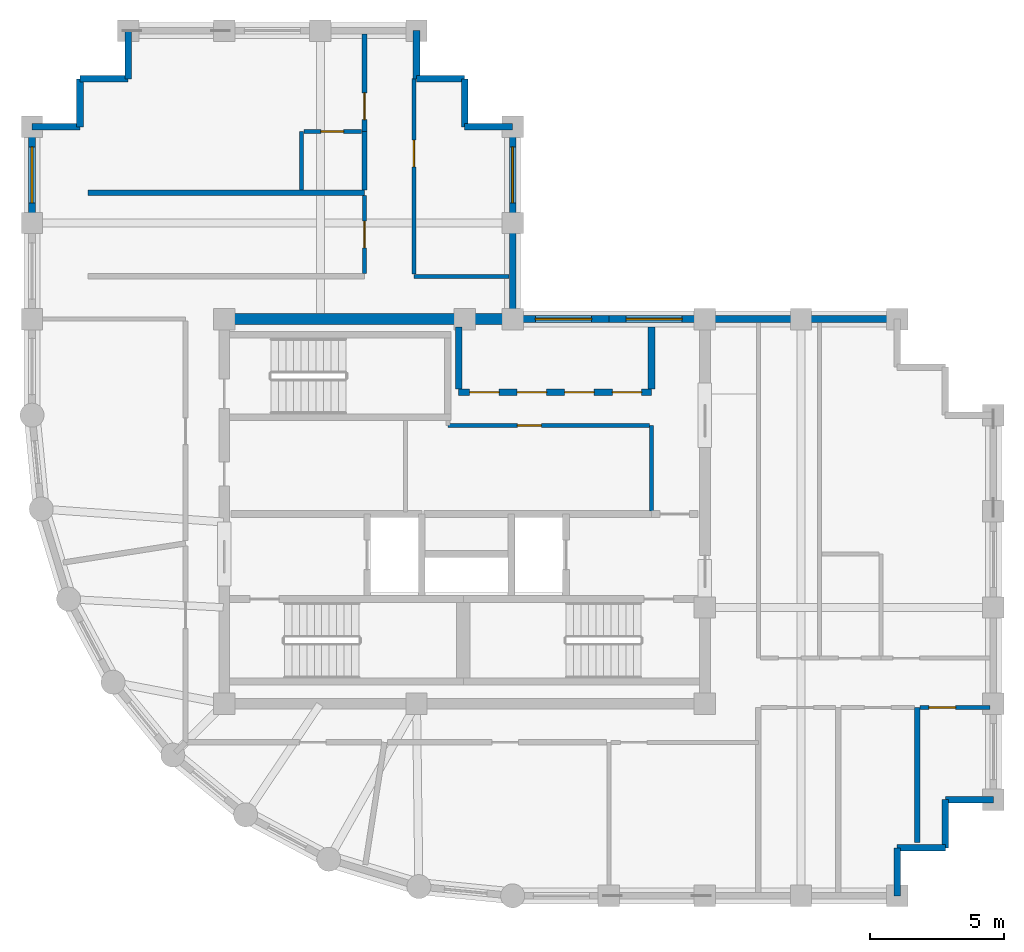
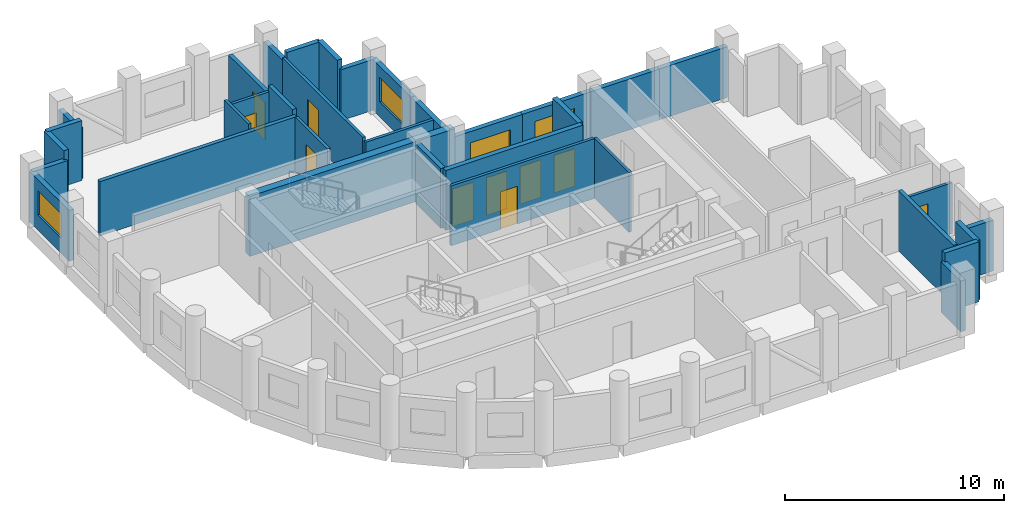
# One storey, part 4 of 6: 35 walls, 10 doors, 4 windows, 14 openings.
"""IFC4 building model written with IfcOpenShell, lengths in metres."""

from ifc_helpers import new_model, si_unit, direction, frame, frame_2d, origin, place, context, subcontext, project, spatial, rectangle, extrude, material, layer, layer_set, type_object, element, fill, save


model = new_model("IFC4")

# Units and contexts
model_context = context("Model", 3, precision=1e-05, world=origin(), true_north=direction((0.0, 1.0)))
body_context = subcontext(model_context, "Body", "Model", "MODEL_VIEW")
ifc_project = project(units=[si_unit("LENGTHUNIT", "METRE"), si_unit("AREAUNIT", "SQUARE_METRE"), si_unit("VOLUMEUNIT", "CUBIC_METRE"), si_unit("PLANEANGLEUNIT", "RADIAN"), si_unit("MASSUNIT", "GRAM", prefix="KILO")], contexts=[model_context])

# Site, building, storey
site_placement = place(None, origin())
site = spatial("IfcSite", under=ifc_project, at=site_placement, CompositionType="ELEMENT")
building_placement = place(site_placement, origin())
building = spatial("IfcBuilding", under=site, at=building_placement, Name="Solnavia Interchange Tower", CompositionType="ELEMENT")
storey_placement = place(building_placement, frame((0.0, 0.0, 231.800048828125)))
storey = spatial("IfcBuildingStorey", under=building, at=storey_placement, Name="L58", CompositionType="ELEMENT", Elevation=231.800048828125)

# Walls
ifc_material_1 = material(Name="Gypsum Acoustic Twin-Stud & Mineral Wool", Category="gypsum")
ifc_layer_1 = layer(ifc_material_1, 0.199951171875)
ifc_layer_set_1 = layer_set([ifc_layer_1], Name="Gypsum Acoustic Twin-Stud & Mineral Wool")
wall_type_1 = type_object("IfcWallType", Name="Wall-ApartmentParty-200", PredefinedType="PARTITIONING", material=ifc_layer_set_1)
wall_1_placement = place(storey_placement, frame((40.35009765625, 5.60498046875, 0.0), z_axis=(0.0, 0.0, 1.0), x_axis=(0.0, 1.0, 0.0)))
element("IfcWall", 1, at=wall_1_placement, inside=storey, type_object=wall_type_1, Name="PTW-L58-20 Interior partition wall", PredefinedType="PARTITIONING", context=body_context, shape_type="SweptSolid", body=[
    extrude(rectangle(XDim=5.044921875, YDim=0.199951171875, at=frame_2d((2.5224609375, 0.0))), origin(), (0.0, 0.0, 1.0), 3.3349609375),
])
wall_2_placement = place(storey_placement, frame((9.300048828125, 29.929931640625, 0.0), z_axis=(0.0, 0.0, 1.0), x_axis=(1.0, 0.0, 0.0)))
element("IfcWall", 2, at=wall_2_placement, inside=storey, type_object=wall_type_1, Name="PTW-L58-25 Interior partition wall", PredefinedType="PARTITIONING", context=body_context, shape_type="SweptSolid", body=[
    extrude(rectangle(XDim=10.349853515625, YDim=0.199951171875, at=frame_2d((5.1748046875, 0.0))), origin(), (0.0, 0.0, 1.0), 3.030029296875),
])
wall_3_placement = place(storey_placement, frame((19.64990234375, 30.033935546875, 0.0), z_axis=(0.0, 0.0, 1.0), x_axis=(0.0, 1.0, 0.0)))
element("IfcWall", 3, at=wall_3_placement, inside=storey, type_object=wall_type_1, Name="PTW-L58-27 Interior partition wall", PredefinedType="PARTITIONING", context=body_context, shape_type="SweptSolid", body=[
    extrude(rectangle(XDim=2.196044921875, YDim=0.199951171875, at=frame_2d((1.09814453125, 0.0))), origin(), (0.0, 0.0, 1.0), 3.3349609375),
])

# Wall, opening, door
wall_4_placement = place(storey_placement, frame((19.64990234375, 32.22998046875, 0.0), z_axis=(0.0, 0.0, 1.0), x_axis=(0.0, 1.0, 0.0)))
wall_4 = element("IfcWall", 4, at=wall_4_placement, inside=storey, type_object=wall_type_1, Name="PTW-L58-28 Interior partition wall", PredefinedType="PARTITIONING", context=body_context, shape_type="SweptSolid", body=[
    extrude(rectangle(XDim=3.64111328125, YDim=0.199951171875, at=frame_2d((1.820556640625, 0.0))), origin(), (0.0, 0.0, 1.0), 2.829833984375),
])
opening_1_placement = place(wall_4_placement, frame((0.43896484375, 0.0, 0.0)))
opening_1 = element("IfcOpeningElement", 5, at=opening_1_placement, cuts=wall_4, Name="Opening DR-06", PredefinedType="OPENING", context=body_context, shape_type="SweptSolid", body=[
    extrude(rectangle(XDim=1.0, YDim=2.10009765625, at=frame_2d((0.5, 1.050048828125))), frame((0.0, 0.10986328125, 0.0), z_axis=(0.0, -1.0, 0.0), x_axis=(1.0, 0.0, 0.0)), (0.0, 0.0, 1.0), 0.219970703125),
])
ifc_material_2 = material(Name="Engineered Timber Acoustic Fire Door", Category="wood")
door_type_1 = type_object("IfcDoorType", Name="Door-FlatEntry-1000x2100", OperationType="SINGLE_SWING_LEFT", PredefinedType="DOOR", material=ifc_material_2)
door_1_placement = place(opening_1_placement, origin())
door_1 = element("IfcDoor", 6, at=door_1_placement, inside=storey, type_object=door_type_1, Name="DR-L58-13 Interior room door", OperationType="SINGLE_SWING_RIGHT", OverallHeight=2.10009765625, OverallWidth=1.0, PredefinedType="DOOR", context=body_context, shape_type="SweptSolid", body=[
    extrude(rectangle(XDim=1.0, YDim=2.10009765625, at=frame_2d((0.5, 1.050048828125))), frame((0.0, 0.02490234375, 0.0), z_axis=(0.0, -1.0, 0.0), x_axis=(1.0, 0.0, 0.0)), (0.0, 0.0, 1.0), 0.050048828125),
])
fill(opening_1, door_1)

# Walls
ifc_material_3 = material(Name="Concrete C40/50", Category="concrete")
ifc_layer_2 = layer(ifc_material_3, 0.25)
ifc_layer_set_2 = layer_set([ifc_layer_2], Name="Concrete C40/50")
wall_type_2 = type_object("IfcWallType", Name="Wall-ExtSpandrel-250", PredefinedType="STANDARD", material=ifc_layer_set_2)
wall_5_placement = place(storey_placement, frame((39.60009765625, 5.39990234375, 0.0), z_axis=(0.0, 0.0, 1.0), x_axis=(0.0, -1.0, 0.0)))
element("IfcWall", 7, at=wall_5_placement, inside=storey, type_object=wall_type_2, Name="EXW-L58-05 Exterior precast spandrel wall", PredefinedType="STANDARD", context=body_context, shape_type="SweptSolid", body=[
    extrude(rectangle(XDim=1.7998046875, YDim=0.25, at=frame_2d((0.89990234375, 0.0))), origin(), (0.0, 0.0, 1.0), 2.829833984375),
])
wall_6_placement = place(storey_placement, frame((41.39990234375, 5.39990234375, 0.0), z_axis=(0.0, 0.0, 1.0), x_axis=(-1.0, 0.0, 0.0)))
element("IfcWall", 8, at=wall_6_placement, inside=storey, type_object=wall_type_2, Name="EXW-L58-06 Exterior precast spandrel wall", PredefinedType="STANDARD", context=body_context, shape_type="SweptSolid", body=[
    extrude(rectangle(XDim=1.7998046875, YDim=0.25, at=frame_2d((0.89990234375, 0.0))), origin(), (0.0, 0.0, 1.0), 3.3349609375),
])
wall_7_placement = place(storey_placement, frame((41.39990234375, 7.199951171875, 0.0), z_axis=(0.0, 0.0, 1.0), x_axis=(0.0, -1.0, 0.0)))
element("IfcWall", 9, at=wall_7_placement, inside=storey, type_object=wall_type_2, Name="EXW-L58-07 Exterior precast spandrel wall", PredefinedType="STANDARD", context=body_context, shape_type="SweptSolid", body=[
    extrude(rectangle(XDim=1.800048828125, YDim=0.25, at=frame_2d((0.89990234375, 0.0))), origin(), (0.0, 0.0, 1.0), 3.3349609375),
])
wall_8_placement = place(storey_placement, frame((43.199951171875, 7.199951171875, 0.0), z_axis=(0.0, 0.0, 1.0), x_axis=(-1.0, 0.0, 0.0)))
element("IfcWall", 10, at=wall_8_placement, inside=storey, type_object=wall_type_2, Name="EXW-L58-08 Exterior precast spandrel wall", PredefinedType="STANDARD", context=body_context, shape_type="SweptSolid", body=[
    extrude(rectangle(XDim=1.800048828125, YDim=0.25, at=frame_2d((0.89990234375, 0.0))), origin(), (0.0, 0.0, 1.0), 2.829833984375),
])
for number, where, z_axis, x_axis, name in (
    (11, (36.0, 25.199951171875, 0.0), (0.0, 0.0, 1.0), (1.0, 0.0, 0.0), "EXW-L58-17 Exterior precast spandrel wall"),
    (12, (32.39990234375, 25.199951171875, 0.0), (0.0, 0.0, 1.0), (1.0, 0.0, 0.0), "EXW-L58-18 Exterior precast spandrel wall"),
):
    element("IfcWall", number, at=place(storey_placement, frame(where, z_axis=z_axis, x_axis=x_axis)), inside=storey, type_object=wall_type_2, Name=name, PredefinedType="STANDARD", context=body_context, shape_type="SweptSolid", body=[
        extrude(rectangle(XDim=3.60009765625, YDim=0.25, at=frame_2d((1.800048828125, 0.0))), origin(), (0.0, 0.0, 1.0), 2.829833984375),
    ])

# Wall, opening, window
wall_9_placement = place(storey_placement, frame((28.800048828125, 25.199951171875, 0.0), z_axis=(0.0, 0.0, 1.0), x_axis=(1.0, 0.0, 0.0)))
wall_9 = element("IfcWall", 13, at=wall_9_placement, inside=storey, type_object=wall_type_2, Name="EXW-L58-19 Exterior precast spandrel wall", PredefinedType="STANDARD", context=body_context, shape_type="SweptSolid", body=[
    extrude(rectangle(XDim=3.599853515625, YDim=0.25, at=frame_2d((1.7998046875, 0.0))), origin(), (0.0, 0.0, 1.0), 2.829833984375),
])
opening_2_placement = place(wall_9_placement, frame((0.64501953125, 0.0, 0.85009765625)))
opening_2 = element("IfcOpeningElement", 14, at=opening_2_placement, cuts=wall_9, Name="Opening WIN-01", PredefinedType="OPENING", context=body_context, shape_type="SweptSolid", body=[
    extrude(rectangle(XDim=2.10009765625, YDim=1.35009765625, at=frame_2d((1.050048828125, 0.675048828125))), frame((0.0, 0.135009765625, 0.0), z_axis=(0.0, -1.0, 0.0), x_axis=(1.0, 0.0, 0.0)), (0.0, 0.0, 1.0), 0.27001953125),
])
ifc_material_4 = material(Name="Thermal-Break Aluminium & Low-E Glass", Category="aluminium")
window_type = type_object("IfcWindowType", Name="Window-Ribbon-2100x1350", PartitioningType="SINGLE_PANEL", PredefinedType="WINDOW", material=ifc_material_4)
window_1_placement = place(opening_2_placement, origin())
window_1 = element("IfcWindow", 15, at=window_1_placement, inside=storey, type_object=window_type, Name="WIN-L58-19 Facade ribbon window", OverallHeight=1.35009765625, OverallWidth=2.10009765625, PartitioningType="SINGLE_PANEL", PredefinedType="WINDOW", context=body_context, shape_type="SweptSolid", body=[
    extrude(rectangle(XDim=2.10009765625, YDim=1.35009765625, at=frame_2d((1.050048828125, 0.675048828125))), frame((0.0, 0.030029296875, 0.0), z_axis=(0.0, -1.0, 0.0), x_axis=(1.0, 0.0, 0.0)), (0.0, 0.0, 1.0), 0.06005859375),
])
fill(opening_2, window_1)

wall_10_placement = place(storey_placement, frame((25.199951171875, 25.199951171875, 0.0), z_axis=(0.0, 0.0, 1.0), x_axis=(1.0, 0.0, 0.0)))
wall_10 = element("IfcWall", 16, at=wall_10_placement, inside=storey, type_object=wall_type_2, Name="EXW-L58-20 Exterior precast spandrel wall", PredefinedType="STANDARD", context=body_context, shape_type="SweptSolid", body=[
    extrude(rectangle(XDim=3.60009765625, YDim=0.25, at=frame_2d((1.800048828125, 0.0))), origin(), (0.0, 0.0, 1.0), 2.829833984375),
])
opening_3_placement = place(wall_10_placement, frame((0.85498046875, 0.0, 0.85009765625)))
opening_3 = element("IfcOpeningElement", 17, at=opening_3_placement, cuts=wall_10, Name="Opening WIN-01", PredefinedType="OPENING", context=body_context, shape_type="SweptSolid", body=[
    extrude(rectangle(XDim=2.10009765625, YDim=1.35009765625, at=frame_2d((1.050048828125, 0.675048828125))), frame((0.0, 0.135009765625, 0.0), z_axis=(0.0, -1.0, 0.0), x_axis=(1.0, 0.0, 0.0)), (0.0, 0.0, 1.0), 0.27001953125),
])
window_2_placement = place(opening_3_placement, origin())
window_2 = element("IfcWindow", 18, at=window_2_placement, inside=storey, type_object=window_type, Name="WIN-L58-20 Facade ribbon window", OverallHeight=1.35009765625, OverallWidth=2.10009765625, PartitioningType="SINGLE_PANEL", PredefinedType="WINDOW", context=body_context, shape_type="SweptSolid", body=[
    extrude(rectangle(XDim=2.10009765625, YDim=1.35009765625, at=frame_2d((1.050048828125, 0.675048828125))), frame((0.0, 0.030029296875, 0.0), z_axis=(0.0, -1.0, 0.0), x_axis=(1.0, 0.0, 0.0)), (0.0, 0.0, 1.0), 0.06005859375),
])
fill(opening_3, window_2)

# Wall
wall_11_placement = place(storey_placement, frame((25.199951171875, 28.800048828125, 0.0), z_axis=(0.0, 0.0, 1.0), x_axis=(0.0, -1.0, 0.0)))
element("IfcWall", 19, at=wall_11_placement, inside=storey, type_object=wall_type_2, Name="EXW-L58-21 Exterior precast spandrel wall", PredefinedType="STANDARD", context=body_context, shape_type="SweptSolid", body=[
    extrude(rectangle(XDim=3.60009765625, YDim=0.25, at=frame_2d((1.800048828125, 0.0))), origin(), (0.0, 0.0, 1.0), 2.829833984375),
])

# Wall, opening, window
wall_12_placement = place(storey_placement, frame((25.199951171875, 32.39990234375, 0.0), z_axis=(0.0, 0.0, 1.0), x_axis=(0.0, -1.0, 0.0)))
wall_12 = element("IfcWall", 20, at=wall_12_placement, inside=storey, type_object=wall_type_2, Name="EXW-L58-22 Exterior precast spandrel wall", PredefinedType="STANDARD", context=body_context, shape_type="SweptSolid", body=[
    extrude(rectangle(XDim=3.599853515625, YDim=0.25, at=frame_2d((1.7998046875, 0.0))), origin(), (0.0, 0.0, 1.0), 2.829833984375),
])
opening_4_placement = place(wall_12_placement, frame((0.75, 0.0, 0.85009765625)))
opening_4 = element("IfcOpeningElement", 21, at=opening_4_placement, cuts=wall_12, Name="Opening WIN-01", PredefinedType="OPENING", context=body_context, shape_type="SweptSolid", body=[
    extrude(rectangle(XDim=2.10009765625, YDim=1.35009765625, at=frame_2d((1.050048828125, 0.675048828125))), frame((0.0, 0.135009765625, 0.0), z_axis=(0.0, -1.0, 0.0), x_axis=(1.0, 0.0, 0.0)), (0.0, 0.0, 1.0), 0.27001953125),
])
window_3_placement = place(opening_4_placement, origin())
window_3 = element("IfcWindow", 22, at=window_3_placement, inside=storey, type_object=window_type, Name="WIN-L58-22 Facade ribbon window", OverallHeight=1.35009765625, OverallWidth=2.10009765625, PartitioningType="SINGLE_PANEL", PredefinedType="WINDOW", context=body_context, shape_type="SweptSolid", body=[
    extrude(rectangle(XDim=2.10009765625, YDim=1.35009765625, at=frame_2d((1.050048828125, 0.675048828125))), frame((0.0, 0.030029296875, 0.0), z_axis=(0.0, -1.0, 0.0), x_axis=(1.0, 0.0, 0.0)), (0.0, 0.0, 1.0), 0.06005859375),
])
fill(opening_4, window_3)

# Walls
wall_13_placement = place(storey_placement, frame((23.39990234375, 32.39990234375, 0.0), z_axis=(0.0, 0.0, 1.0), x_axis=(1.0, 0.0, 0.0)))
element("IfcWall", 23, at=wall_13_placement, inside=storey, type_object=wall_type_2, Name="EXW-L58-23 Exterior precast spandrel wall", PredefinedType="STANDARD", context=body_context, shape_type="SweptSolid", body=[
    extrude(rectangle(XDim=1.800048828125, YDim=0.25, at=frame_2d((0.89990234375, 0.0))), origin(), (0.0, 0.0, 1.0), 2.829833984375),
])
wall_14_placement = place(storey_placement, frame((23.39990234375, 32.39990234375, 0.0), z_axis=(0.0, 0.0, 1.0), x_axis=(0.0, 1.0, 0.0)))
element("IfcWall", 24, at=wall_14_placement, inside=storey, type_object=wall_type_2, Name="EXW-L58-24 Exterior precast spandrel wall", PredefinedType="STANDARD", context=body_context, shape_type="SweptSolid", body=[
    extrude(rectangle(XDim=1.800048828125, YDim=0.25, at=frame_2d((0.89990234375, 0.0))), origin(), (0.0, 0.0, 1.0), 3.3349609375),
])
wall_15_placement = place(storey_placement, frame((21.60009765625, 34.199951171875, 0.0), z_axis=(0.0, 0.0, 1.0), x_axis=(1.0, 0.0, 0.0)))
element("IfcWall", 25, at=wall_15_placement, inside=storey, type_object=wall_type_2, Name="EXW-L58-25 Exterior precast spandrel wall", PredefinedType="STANDARD", context=body_context, shape_type="SweptSolid", body=[
    extrude(rectangle(XDim=1.7998046875, YDim=0.25, at=frame_2d((0.89990234375, 0.0))), origin(), (0.0, 0.0, 1.0), 3.3349609375),
])
for number, where, z_axis, x_axis, name in (
    (26, (21.60009765625, 34.199951171875, 0.0), (0.0, 0.0, 1.0), (0.0, 1.0, 0.0), "EXW-L58-26 Exterior precast spandrel wall"),
    (27, (10.800048828125, 34.199951171875, 0.0), (0.0, 0.0, 1.0), (0.0, 1.0, 0.0), "EXW-L58-30 Exterior precast spandrel wall"),
):
    element("IfcWall", number, at=place(storey_placement, frame(where, z_axis=z_axis, x_axis=x_axis)), inside=storey, type_object=wall_type_2, Name=name, PredefinedType="STANDARD", context=body_context, shape_type="SweptSolid", body=[
        extrude(rectangle(XDim=1.800048828125, YDim=0.25, at=frame_2d((0.89990234375, 0.0))), origin(), (0.0, 0.0, 1.0), 2.829833984375),
    ])
for number, where, z_axis, x_axis, name in (
    (28, (9.0, 34.199951171875, 0.0), (0.0, 0.0, 1.0), (1.0, 0.0, 0.0), "EXW-L58-31 Exterior precast spandrel wall"),
    (29, (9.0, 32.39990234375, 0.0), (0.0, 0.0, 1.0), (0.0, 1.0, 0.0), "EXW-L58-32 Exterior precast spandrel wall"),
):
    element("IfcWall", number, at=place(storey_placement, frame(where, z_axis=z_axis, x_axis=x_axis)), inside=storey, type_object=wall_type_2, Name=name, PredefinedType="STANDARD", context=body_context, shape_type="SweptSolid", body=[
        extrude(rectangle(XDim=1.800048828125, YDim=0.25, at=frame_2d((0.89990234375, 0.0))), origin(), (0.0, 0.0, 1.0), 3.3349609375),
    ])
wall_16_placement = place(storey_placement, frame((7.199951171875, 32.39990234375, 0.0), z_axis=(0.0, 0.0, 1.0), x_axis=(1.0, 0.0, 0.0)))
element("IfcWall", 30, at=wall_16_placement, inside=storey, type_object=wall_type_2, Name="EXW-L58-33 Exterior precast spandrel wall", PredefinedType="STANDARD", context=body_context, shape_type="SweptSolid", body=[
    extrude(rectangle(XDim=1.800048828125, YDim=0.25, at=frame_2d((0.89990234375, 0.0))), origin(), (0.0, 0.0, 1.0), 2.829833984375),
])

# Wall, opening, window
wall_17_placement = place(storey_placement, frame((7.199951171875, 28.800048828125, 0.0), z_axis=(0.0, 0.0, 1.0), x_axis=(0.0, 1.0, 0.0)))
wall_17 = element("IfcWall", 31, at=wall_17_placement, inside=storey, type_object=wall_type_2, Name="EXW-L58-34 Exterior precast spandrel wall", PredefinedType="STANDARD", context=body_context, shape_type="SweptSolid", body=[
    extrude(rectangle(XDim=3.599853515625, YDim=0.25, at=frame_2d((1.7998046875, 0.0))), origin(), (0.0, 0.0, 1.0), 2.829833984375),
])
opening_5_placement = place(wall_17_placement, frame((0.75, 0.0, 0.85009765625)))
opening_5 = element("IfcOpeningElement", 32, at=opening_5_placement, cuts=wall_17, Name="Opening WIN-01", PredefinedType="OPENING", context=body_context, shape_type="SweptSolid", body=[
    extrude(rectangle(XDim=2.10009765625, YDim=1.35009765625, at=frame_2d((1.050048828125, 0.675048828125))), frame((0.0, 0.135009765625, 0.0), z_axis=(0.0, -1.0, 0.0), x_axis=(1.0, 0.0, 0.0)), (0.0, 0.0, 1.0), 0.27001953125),
])
window_4_placement = place(opening_5_placement, origin())
window_4 = element("IfcWindow", 33, at=window_4_placement, inside=storey, type_object=window_type, Name="WIN-L58-34 Facade ribbon window", OverallHeight=1.35009765625, OverallWidth=2.10009765625, PartitioningType="SINGLE_PANEL", PredefinedType="WINDOW", context=body_context, shape_type="SweptSolid", body=[
    extrude(rectangle(XDim=2.10009765625, YDim=1.35009765625, at=frame_2d((1.050048828125, 0.675048828125))), frame((0.0, 0.030029296875, 0.0), z_axis=(0.0, -1.0, 0.0), x_axis=(1.0, 0.0, 0.0)), (0.0, 0.0, 1.0), 0.06005859375),
])
fill(opening_5, window_4)

# Wall, opening, door
ifc_material_5 = material(Name="Gypsum Plasterboard & Steel Stud", Category="steel")
ifc_layer_3 = layer(ifc_material_5, 0.14990234375)
ifc_layer_set_3 = layer_set([ifc_layer_3], Name="Gypsum Plasterboard & Steel Stud")
wall_type_3 = type_object("IfcWallType", Name="Wall-Partition-150", PredefinedType="PARTITIONING", material=ifc_layer_set_3)
wall_18_placement = place(storey_placement, frame((22.77490234375, 21.219970703125, 0.0), z_axis=(0.0, 0.0, 1.0), x_axis=(1.0, 0.0, 0.0)))
wall_18 = element("IfcWall", 34, at=wall_18_placement, inside=storey, type_object=wall_type_3, Name="CSW-L58-N-ALL Core shaft wall", PredefinedType="PARTITIONING", context=body_context, shape_type="SweptSolid", body=[
    extrude(rectangle(XDim=7.545166015625, YDim=0.14990234375, at=frame_2d((3.7724609375, 0.0))), origin(), (0.0, 0.0, 1.0), 3.3349609375),
])
opening_6_placement = place(wall_18_placement, frame((2.60009765625, 0.0, 0.0)))
opening_6 = element("IfcOpeningElement", 35, at=opening_6_placement, cuts=wall_18, Name="Opening DR-09", PredefinedType="OPENING", context=body_context, shape_type="SweptSolid", body=[
    extrude(rectangle(XDim=0.89990234375, YDim=2.10009765625, at=frame_2d((0.449951171875, 1.050048828125))), frame((0.0, 0.0849609375, 0.0), z_axis=(0.0, -1.0, 0.0), x_axis=(1.0, 0.0, 0.0)), (0.0, 0.0, 1.0), 0.169921875),
])
ifc_material_6 = material(Name="Engineered Oak Veneer Door", Category="wood")
door_type_2 = type_object("IfcDoorType", Name="Door-Internal-900x2100", OperationType="SINGLE_SWING_LEFT", PredefinedType="DOOR", material=ifc_material_6)
door_2_placement = place(opening_6_placement, origin())
door_2 = element("IfcDoor", 36, at=door_2_placement, inside=storey, type_object=door_type_2, Name="DR-L58-CS2 Core fire door", OperationType="SINGLE_SWING_RIGHT", OverallHeight=2.10009765625, OverallWidth=0.89990234375, PredefinedType="DOOR", context=body_context, shape_type="SweptSolid", body=[
    extrude(rectangle(XDim=0.89990234375, YDim=2.10009765625, at=frame_2d((0.449951171875, 1.050048828125))), frame((0.0, 0.02490234375, 0.0), z_axis=(0.0, -1.0, 0.0), x_axis=(1.0, 0.0, 0.0)), (0.0, 0.0, 1.0), 0.050048828125),
])
fill(opening_6, door_2)

# Wall
wall_19_placement = place(storey_placement, frame((30.39990234375, 18.02001953125, 0.0), z_axis=(0.0, 0.0, 1.0), x_axis=(0.0, 1.0, 0.0)))
element("IfcWall", 37, at=wall_19_placement, inside=storey, type_object=wall_type_3, Name="CSW-L58-E-E Core shaft wall", PredefinedType="PARTITIONING", context=body_context, shape_type="SweptSolid", body=[
    extrude(rectangle(XDim=3.199951171875, YDim=0.14990234375, at=frame_2d((1.60009765625, 0.0))), origin(), (0.0, 0.0, 1.0), 3.3349609375),
])

# Wall, opening, door
wall_20_placement = place(storey_placement, frame((40.4541015625, 10.64990234375, 0.0), z_axis=(0.0, 0.0, 1.0), x_axis=(1.0, 0.0, 0.0)))
wall_20 = element("IfcWall", 38, at=wall_20_placement, inside=storey, type_object=wall_type_3, Name="PTW-L58-22 Interior partition wall", PredefinedType="PARTITIONING", context=body_context, shape_type="SweptSolid", body=[
    extrude(rectangle(XDim=2.616943359375, YDim=0.14990234375, at=frame_2d((1.30859375, 0.0))), origin(), (0.0, 0.0, 1.0), 2.829833984375),
])
opening_7_placement = place(wall_20_placement, frame((0.3310546875, 0.0, 0.0)))
opening_7 = element("IfcOpeningElement", 39, at=opening_7_placement, cuts=wall_20, Name="Opening DR-07", PredefinedType="OPENING", context=body_context, shape_type="SweptSolid", body=[
    extrude(rectangle(XDim=1.0, YDim=2.10009765625, at=frame_2d((0.5, 1.050048828125))), frame((0.0, 0.0849609375, 0.0), z_axis=(0.0, -1.0, 0.0), x_axis=(1.0, 0.0, 0.0)), (0.0, 0.0, 1.0), 0.169921875),
])
ifc_material_7 = material(Name="Timber & Acoustic Glazed Office Door", Category="wood")
door_type_3 = type_object("IfcDoorType", Name="Door-Office-1000x2100", OperationType="SINGLE_SWING_RIGHT", PredefinedType="DOOR", material=ifc_material_7)
door_3_placement = place(opening_7_placement, origin())
door_3 = element("IfcDoor", 40, at=door_3_placement, inside=storey, type_object=door_type_3, Name="DR-L58-10 Interior room door", OperationType="SINGLE_SWING_LEFT", OverallHeight=2.10009765625, OverallWidth=1.0, PredefinedType="DOOR", context=body_context, shape_type="SweptSolid", body=[
    extrude(rectangle(XDim=1.0, YDim=2.10009765625, at=frame_2d((0.5, 1.050048828125))), frame((0.0, 0.02490234375, 0.0), z_axis=(0.0, -1.0, 0.0), x_axis=(1.0, 0.0, 0.0)), (0.0, 0.0, 1.0), 0.050048828125),
])
fill(opening_7, door_3)

wall_21_placement = place(storey_placement, frame((19.64990234375, 26.904052734375, 0.0), z_axis=(0.0, 0.0, 1.0), x_axis=(0.0, 1.0, 0.0)))
wall_21 = element("IfcWall", 41, at=wall_21_placement, inside=storey, type_object=wall_type_3, Name="PTW-L58-26 Interior partition wall", PredefinedType="PARTITIONING", context=body_context, shape_type="SweptSolid", body=[
    extrude(rectangle(XDim=2.921875, YDim=0.14990234375, at=frame_2d((1.4609375, 0.0))), origin(), (0.0, 0.0, 1.0), 3.030029296875),
])
opening_8_placement = place(wall_21_placement, frame((0.9609375, 0.0, 0.0)))
opening_8 = element("IfcOpeningElement", 42, at=opening_8_placement, cuts=wall_21, Name="Opening DR-07", PredefinedType="OPENING", context=body_context, shape_type="SweptSolid", body=[
    extrude(rectangle(XDim=1.0, YDim=2.10009765625, at=frame_2d((0.5, 1.050048828125))), frame((0.0, 0.0849609375, 0.0), z_axis=(0.0, -1.0, 0.0), x_axis=(1.0, 0.0, 0.0)), (0.0, 0.0, 1.0), 0.169921875),
])
door_4_placement = place(opening_8_placement, origin())
door_4 = element("IfcDoor", 43, at=door_4_placement, inside=storey, type_object=door_type_3, Name="DR-L58-12 Interior room door", OperationType="SINGLE_SWING_RIGHT", OverallHeight=2.10009765625, OverallWidth=1.0, PredefinedType="DOOR", context=body_context, shape_type="SweptSolid", body=[
    extrude(rectangle(XDim=1.0, YDim=2.10009765625, at=frame_2d((0.5, 1.050048828125))), frame((0.0, 0.02490234375, 0.0), z_axis=(0.0, -1.0, 0.0), x_axis=(1.0, 0.0, 0.0)), (0.0, 0.0, 1.0), 0.050048828125),
])
fill(opening_8, door_4)

# Wall
wall_22_placement = place(storey_placement, frame((21.5, 26.800048828125, 0.0), z_axis=(0.0, 0.0, 1.0), x_axis=(1.0, 0.0, 0.0)))
element("IfcWall", 44, at=wall_22_placement, inside=storey, type_object=wall_type_3, Name="PTW-L58-31 Interior partition wall", PredefinedType="PARTITIONING", context=body_context, shape_type="SweptSolid", body=[
    extrude(rectangle(XDim=3.571044921875, YDim=0.14990234375, at=frame_2d((1.78564453125, 0.0))), origin(), (0.0, 0.0, 1.0), 2.829833984375),
])

# Wall, opening, door
wall_23_placement = place(storey_placement, frame((21.5, 26.87890625, 0.0), z_axis=(0.0, 0.0, 1.0), x_axis=(0.0, 1.0, 0.0)))
wall_23 = element("IfcWall", 45, at=wall_23_placement, inside=storey, type_object=wall_type_3, Name="PTW-L58-32 Interior partition wall", PredefinedType="PARTITIONING", context=body_context, shape_type="SweptSolid", body=[
    extrude(rectangle(XDim=7.321044921875, YDim=0.14990234375, at=frame_2d((3.66064453125, 0.0))), origin(), (0.0, 0.0, 1.0), 3.030029296875),
])
opening_9_placement = place(wall_23_placement, frame((4.02099609375, 0.0, 0.0)))
opening_9 = element("IfcOpeningElement", 46, at=opening_9_placement, cuts=wall_23, Name="Opening DR-07", PredefinedType="OPENING", context=body_context, shape_type="SweptSolid", body=[
    extrude(rectangle(XDim=1.0, YDim=2.10009765625, at=frame_2d((0.5, 1.050048828125))), frame((0.0, 0.0849609375, 0.0), z_axis=(0.0, -1.0, 0.0), x_axis=(1.0, 0.0, 0.0)), (0.0, 0.0, 1.0), 0.169921875),
])
door_5_placement = place(opening_9_placement, origin())
door_5 = element("IfcDoor", 47, at=door_5_placement, inside=storey, type_object=door_type_3, Name="DR-L58-15 Interior room door", OperationType="SINGLE_SWING_LEFT", OverallHeight=2.10009765625, OverallWidth=1.0, PredefinedType="DOOR", context=body_context, shape_type="SweptSolid", body=[
    extrude(rectangle(XDim=1.0, YDim=2.10009765625, at=frame_2d((0.5, 1.050048828125))), frame((0.0, 0.02490234375, 0.0), z_axis=(0.0, -1.0, 0.0), x_axis=(1.0, 0.0, 0.0)), (0.0, 0.0, 1.0), 0.050048828125),
])
fill(opening_9, door_5)

# Wall, openings, doors
ifc_layer_4 = layer(ifc_material_3, 0.25)
ifc_layer_set_4 = layer_set([ifc_layer_4], Name="Concrete C40/50")
wall_type_4 = type_object("IfcWallType", Name="Wall-ShaftPart-250", PredefinedType="PARTITIONING", material=ifc_layer_set_4)
wall_24_placement = place(storey_placement, frame((23.179931640625, 22.4599609375, 0.0), z_axis=(0.0, 0.0, 1.0), x_axis=(1.0, 0.0, 0.0)))
wall_24 = element("IfcWall", 48, at=wall_24_placement, inside=storey, type_object=wall_type_4, Name="SHW-L58-B3S Core shaft wall", PredefinedType="PARTITIONING", context=body_context, shape_type="SweptSolid", body=[
    extrude(rectangle(XDim=7.219970703125, YDim=0.25, at=frame_2d((3.60986328125, 0.0))), origin(), (0.0, 0.0, 1.0), 3.3349609375),
])
opening_10_placement = place(wall_24_placement, frame((0.409912109375, 0.0, 0.0)))
opening_10 = element("IfcOpeningElement", 49, at=opening_10_placement, cuts=wall_24, Name="Opening LD-01", PredefinedType="OPENING", context=body_context, shape_type="SweptSolid", body=[
    extrude(rectangle(XDim=1.10009765625, YDim=2.10009765625, at=frame_2d((0.550048828125, 1.050048828125))), frame((0.0, 0.135009765625, 0.0), z_axis=(0.0, -1.0, 0.0), x_axis=(1.0, 0.0, 0.0)), (0.0, 0.0, 1.0), 0.27001953125),
])
opening_11_placement = place(wall_24_placement, frame((2.18994140625, 0.0, 0.0)))
opening_11 = element("IfcOpeningElement", 50, at=opening_11_placement, cuts=wall_24, Name="Opening LD-01", PredefinedType="OPENING", context=body_context, shape_type="SweptSolid", body=[
    extrude(rectangle(XDim=1.10009765625, YDim=2.10009765625, at=frame_2d((0.550048828125, 1.050048828125))), frame((0.0, 0.135009765625, 0.0), z_axis=(0.0, -1.0, 0.0), x_axis=(1.0, 0.0, 0.0)), (0.0, 0.0, 1.0), 0.27001953125),
])
opening_12_placement = place(wall_24_placement, frame((3.969970703125, 0.0, 0.0)))
opening_12 = element("IfcOpeningElement", 51, at=opening_12_placement, cuts=wall_24, Name="Opening LD-01", PredefinedType="OPENING", context=body_context, shape_type="SweptSolid", body=[
    extrude(rectangle(XDim=1.10009765625, YDim=2.10009765625, at=frame_2d((0.550048828125, 1.050048828125))), frame((0.0, 0.135009765625, 0.0), z_axis=(0.0, -1.0, 0.0), x_axis=(1.0, 0.0, 0.0)), (0.0, 0.0, 1.0), 0.27001953125),
])
opening_13_placement = place(wall_24_placement, frame((5.75, 0.0, 0.0)))
opening_13 = element("IfcOpeningElement", 52, at=opening_13_placement, cuts=wall_24, Name="Opening LD-01", PredefinedType="OPENING", context=body_context, shape_type="SweptSolid", body=[
    extrude(rectangle(XDim=1.10009765625, YDim=2.10009765625, at=frame_2d((0.550048828125, 1.050048828125))), frame((0.0, 0.135009765625, 0.0), z_axis=(0.0, -1.0, 0.0), x_axis=(1.0, 0.0, 0.0)), (0.0, 0.0, 1.0), 0.27001953125),
])
ifc_material_8 = material(Name="Brushed Stainless Steel Sliding Door", Category="steel")
door_type_4 = type_object("IfcDoorType", Name="Door-LiftLanding-1100x2100", OperationType="SLIDING_TO_LEFT", PredefinedType="DOOR", material=ifc_material_8)
door_6_placement = place(opening_10_placement, origin())
door_6 = element("IfcDoor", 53, at=door_6_placement, inside=storey, type_object=door_type_4, Name="LD-L58-B3-1 Lift landing sliding door", OperationType="SLIDING_TO_LEFT", OverallHeight=2.10009765625, OverallWidth=1.10009765625, PredefinedType="DOOR", context=body_context, shape_type="SweptSolid", body=[
    extrude(rectangle(XDim=1.10009765625, YDim=2.10009765625, at=frame_2d((0.550048828125, 1.050048828125))), frame((0.0, 0.02490234375, 0.0), z_axis=(0.0, -1.0, 0.0), x_axis=(1.0, 0.0, 0.0)), (0.0, 0.0, 1.0), 0.050048828125),
])
fill(opening_10, door_6)
door_7_placement = place(opening_11_placement, origin())
door_7 = element("IfcDoor", 54, at=door_7_placement, inside=storey, type_object=door_type_4, Name="LD-L58-B3-2 Lift landing sliding door", OperationType="SLIDING_TO_LEFT", OverallHeight=2.10009765625, OverallWidth=1.10009765625, PredefinedType="DOOR", context=body_context, shape_type="SweptSolid", body=[
    extrude(rectangle(XDim=1.10009765625, YDim=2.10009765625, at=frame_2d((0.550048828125, 1.050048828125))), frame((0.0, 0.02490234375, 0.0), z_axis=(0.0, -1.0, 0.0), x_axis=(1.0, 0.0, 0.0)), (0.0, 0.0, 1.0), 0.050048828125),
])
fill(opening_11, door_7)
door_8_placement = place(opening_12_placement, origin())
door_8 = element("IfcDoor", 55, at=door_8_placement, inside=storey, type_object=door_type_4, Name="LD-L58-B3-3 Lift landing sliding door", OperationType="SLIDING_TO_LEFT", OverallHeight=2.10009765625, OverallWidth=1.10009765625, PredefinedType="DOOR", context=body_context, shape_type="SweptSolid", body=[
    extrude(rectangle(XDim=1.10009765625, YDim=2.10009765625, at=frame_2d((0.550048828125, 1.050048828125))), frame((0.0, 0.02490234375, 0.0), z_axis=(0.0, -1.0, 0.0), x_axis=(1.0, 0.0, 0.0)), (0.0, 0.0, 1.0), 0.050048828125),
])
fill(opening_12, door_8)
door_9_placement = place(opening_13_placement, origin())
door_9 = element("IfcDoor", 56, at=door_9_placement, inside=storey, type_object=door_type_4, Name="LD-L58-B3-4 Lift landing sliding door", OperationType="SLIDING_TO_LEFT", OverallHeight=2.10009765625, OverallWidth=1.10009765625, PredefinedType="DOOR", context=body_context, shape_type="SweptSolid", body=[
    extrude(rectangle(XDim=1.10009765625, YDim=2.10009765625, at=frame_2d((0.550048828125, 1.050048828125))), frame((0.0, 0.02490234375, 0.0), z_axis=(0.0, -1.0, 0.0), x_axis=(1.0, 0.0, 0.0)), (0.0, 0.0, 1.0), 0.050048828125),
])
fill(opening_13, door_9)

# Walls
for number, where, z_axis, x_axis, name in (
    (57, (23.179931640625, 22.5849609375, 0.0), (0.0, 0.0, 1.0), (0.0, 1.0, 0.0), "SHW-L58-B3W Core shaft wall"),
    (58, (30.39990234375, 22.5849609375, 0.0), (0.0, 0.0, 1.0), (0.0, 1.0, 0.0), "SHW-L58-B3E Core shaft wall"),
):
    element("IfcWall", number, at=place(storey_placement, frame(where, z_axis=z_axis, x_axis=x_axis)), inside=storey, type_object=wall_type_4, Name=name, PredefinedType="PARTITIONING", context=body_context, shape_type="SweptSolid", body=[
        extrude(rectangle(XDim=2.31494140625, YDim=0.25, at=frame_2d((1.157470703125, 0.0))), origin(), (0.0, 0.0, 1.0), 3.3349609375),
    ])
ifc_material_9 = material(Name="Concrete C50/60", Category="concrete")
ifc_layer_5 = layer(ifc_material_9, 0.39990234375)
ifc_layer_set_5 = layer_set([ifc_layer_5], Name="Concrete C50/60")
wall_type_5 = type_object("IfcWallType", Name="Wall-ShearCore-400", PredefinedType="SHEAR", material=ifc_layer_set_5)
wall_25_placement = place(storey_placement, frame((14.39990234375, 25.199951171875, 0.0), z_axis=(0.0, 0.0, 1.0), x_axis=(1.0, 0.0, 0.0)))
element("IfcWall", 59, at=wall_25_placement, inside=storey, type_object=wall_type_5, Name="CRW-L58-N Core shear wall", PredefinedType="SHEAR", context=body_context, shape_type="SweptSolid", body=[
    extrude(rectangle(XDim=10.800048828125, YDim=0.39990234375, at=frame_2d((5.39990234375, 0.0))), origin(), (0.0, 0.0, 1.0), 3.349853515625),
])
ifc_material_10 = material(Name="Moisture-Resistant Gypsum & Steel Stud", Category="steel")
ifc_layer_6 = layer(ifc_material_10, 0.14990234375)
ifc_layer_set_6 = layer_set([ifc_layer_6], Name="Moisture-Resistant Gypsum & Steel Stud")
wall_type_6 = type_object("IfcWallType", Name="Wall-WetRoom-150", PredefinedType="PARTITIONING", material=ifc_layer_set_6)
wall_26_placement = place(storey_placement, frame((17.300048828125, 30.033935546875, 0.0), z_axis=(0.0, 0.0, 1.0), x_axis=(0.0, 1.0, 0.0)))
element("IfcWall", 60, at=wall_26_placement, inside=storey, type_object=wall_type_6, Name="PTW-L58-29 Interior partition wall", PredefinedType="PARTITIONING", context=body_context, shape_type="SweptSolid", body=[
    extrude(rectangle(XDim=2.196044921875, YDim=0.14990234375, at=frame_2d((1.09814453125, 0.0))), origin(), (0.0, 0.0, 1.0), 3.3349609375),
])

# Wall, opening, door
wall_27_placement = place(storey_placement, frame((17.37890625, 32.22998046875, 0.0), z_axis=(0.0, 0.0, 1.0), x_axis=(1.0, 0.0, 0.0)))
wall_27 = element("IfcWall", 61, at=wall_27_placement, inside=storey, type_object=wall_type_6, Name="PTW-L58-30 Interior partition wall", PredefinedType="PARTITIONING", context=body_context, shape_type="SweptSolid", body=[
    extrude(rectangle(XDim=2.1669921875, YDim=0.14990234375, at=frame_2d((1.08349609375, 0.0))), origin(), (0.0, 0.0, 1.0), 3.030029296875),
])
opening_14_placement = place(wall_27_placement, frame((0.64111328125, 0.0, 0.0)))
opening_14 = element("IfcOpeningElement", 62, at=opening_14_placement, cuts=wall_27, Name="Opening DR-10", PredefinedType="OPENING", context=body_context, shape_type="SweptSolid", body=[
    extrude(rectangle(XDim=0.85009765625, YDim=2.10009765625, at=frame_2d((0.425048828125, 1.050048828125))), frame((0.0, 0.0849609375, 0.0), z_axis=(0.0, -1.0, 0.0), x_axis=(1.0, 0.0, 0.0)), (0.0, 0.0, 1.0), 0.169921875),
])
ifc_material_11 = material(Name="Moisture-Resistant Timber Door", Category="wood")
door_type_5 = type_object("IfcDoorType", Name="Door-Bathroom-850x2100", OperationType="SINGLE_SWING_RIGHT", PredefinedType="DOOR", material=ifc_material_11)
door_10_placement = place(opening_14_placement, origin())
door_10 = element("IfcDoor", 63, at=door_10_placement, inside=storey, type_object=door_type_5, Name="DR-L58-14 Interior room door", OperationType="SINGLE_SWING_RIGHT", OverallHeight=2.10009765625, OverallWidth=0.85009765625, PredefinedType="DOOR", context=body_context, shape_type="SweptSolid", body=[
    extrude(rectangle(XDim=0.85009765625, YDim=2.10009765625, at=frame_2d((0.425048828125, 1.050048828125))), frame((0.0, 0.02490234375, 0.0), z_axis=(0.0, -1.0, 0.0), x_axis=(1.0, 0.0, 0.0)), (0.0, 0.0, 1.0), 0.050048828125),
])
fill(opening_14, door_10)

save(model, "model.ifc")
